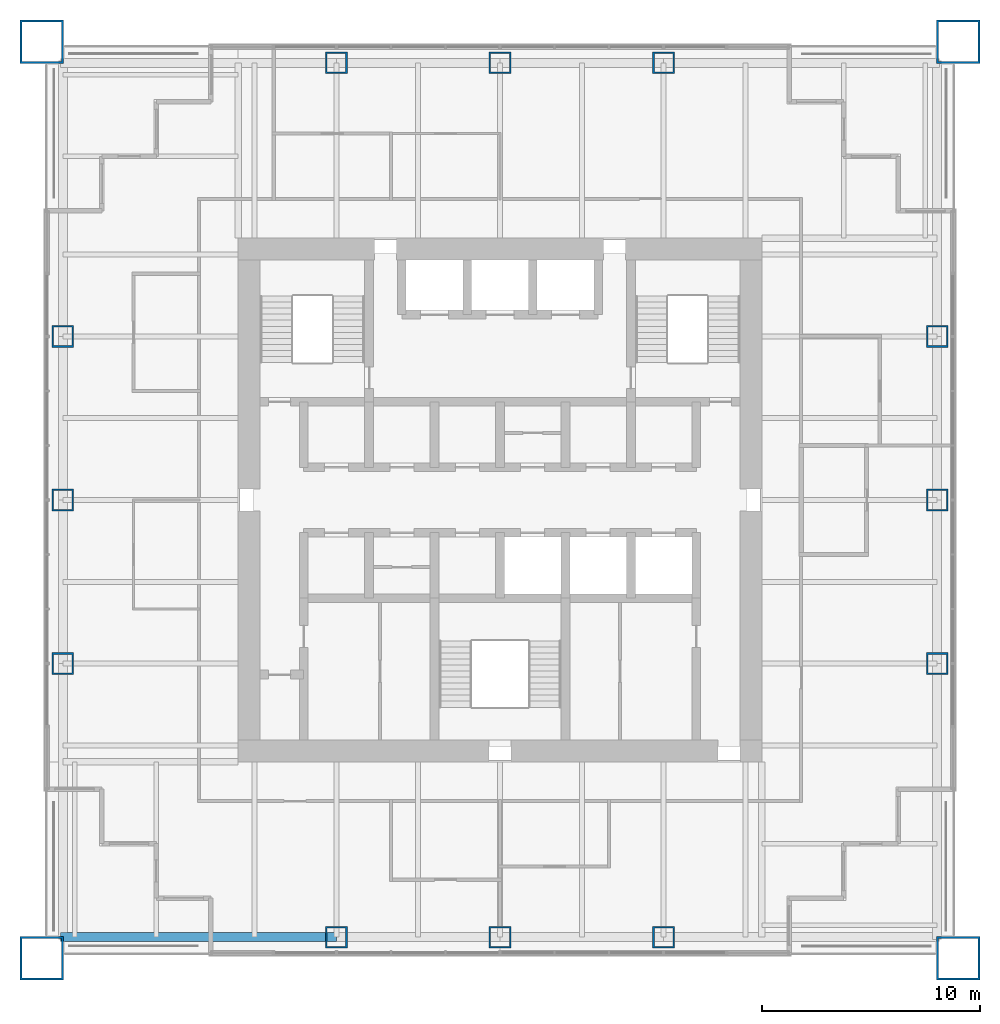
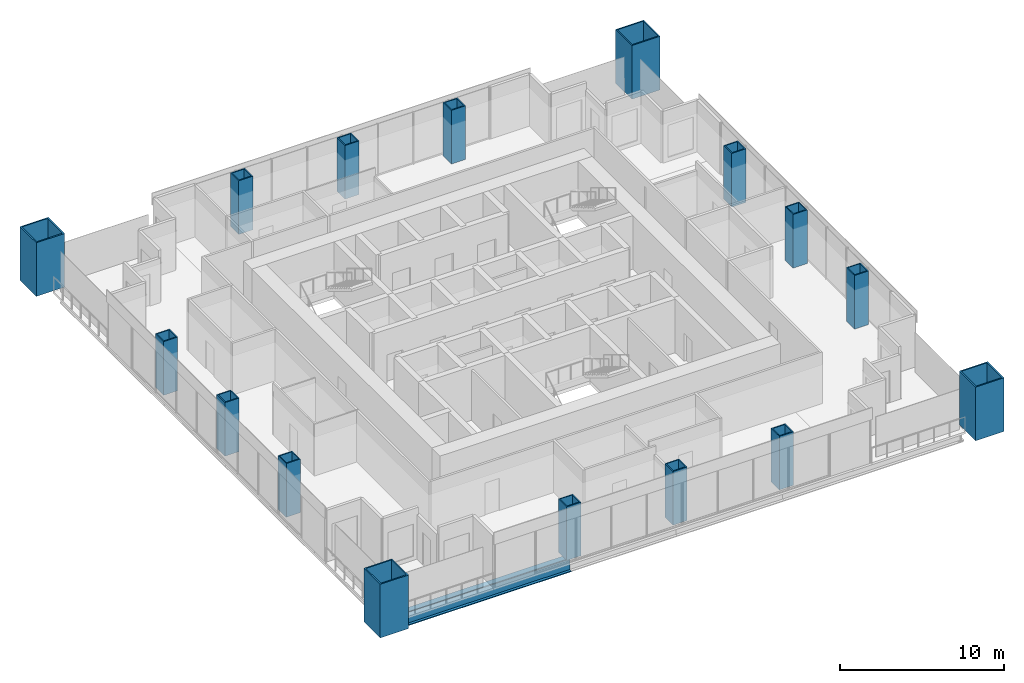
# One storey, part 1 of 14: 16 columns, 1 beam.
"""IFC4 building model written with IfcOpenShell, lengths in metres."""

from ifc_helpers import new_model, si_unit, direction, frame, origin, origin_2d, place, context, subcontext, project, spatial, hollow_rectangle, i_section, extrude, material, material_profile, profile_set, type_object, element, save


model = new_model("IFC4")

# Units and contexts
model_context = context("Model", 3, precision=1e-05, world=origin(), true_north=direction((0.0, 1.0)))
body_context = subcontext(model_context, "Body", "Model", "MODEL_VIEW")
ifc_project = project(units=[si_unit("LENGTHUNIT", "METRE"), si_unit("AREAUNIT", "SQUARE_METRE"), si_unit("VOLUMEUNIT", "CUBIC_METRE"), si_unit("PLANEANGLEUNIT", "RADIAN"), si_unit("MASSUNIT", "GRAM", prefix="KILO")], contexts=[model_context])

# Site, building, storey
site_placement = place(None, origin())
site = spatial("IfcSite", under=ifc_project, at=site_placement, CompositionType="ELEMENT")
building_placement = place(site_placement, origin())
building = spatial("IfcBuilding", under=site, at=building_placement, Name="Tarangal Relay Tower", CompositionType="ELEMENT")
storey_placement = place(building_placement, frame((0.0, 0.0, 263.89990234375)))
storey = spatial("IfcBuildingStorey", under=building, at=storey_placement, Name="L57", CompositionType="ELEMENT", Elevation=263.89990234375)

# Columns
ifc_material_1 = material(Name="Steel ASTM A572 Grade 50", Category="steel")
ifc_material_profile_1 = material_profile(ifc_material_1, hollow_rectangle(XDim=2.0, YDim=2.0, WallThickness=0.094970703125, at=origin_2d()), Name="BOX2000X2000X95")
ifc_profile_set_1 = profile_set([ifc_material_profile_1], Name="Steel ASTM A572 Grade 50")
column_type_1 = type_object("IfcColumnType", Name="Mega column BOX2000X2000X95", PredefinedType="COLUMN", material=ifc_profile_set_1)
for number, where, z_axis, x_axis, name in (
    (1, (21.0, 21.0, 0.0), (0.0, 0.0, 1.0), (1.0, 0.0, 0.0), "Mega column MC4 NE L57"),
    (2, (21.0, -21.0, 0.0), (0.0, 0.0, 1.0), (1.0, 0.0, 0.0), "Mega column MC4 SE L57"),
    (3, (-21.0, -21.0, 0.0), (0.0, 0.0, 1.0), (1.0, 0.0, 0.0), "Mega column MC4 SW L57"),
    (4, (-21.0, 21.0, 0.0), (0.0, 0.0, 1.0), (1.0, 0.0, 0.0), "Mega column MC4 NW L57"),
):
    element("IfcColumn", number, at=place(storey_placement, frame(where, z_axis=z_axis, x_axis=x_axis)), inside=storey, type_object=column_type_1, Name=name, PredefinedType="COLUMN", context=body_context, shape_type="SweptSolid", body=[
        extrude(hollow_rectangle(XDim=2.0, YDim=2.0, WallThickness=0.094970703125, at=origin_2d()), origin(), (0.0, 0.0, 1.0), 4.0),
    ])
ifc_material_profile_2 = material_profile(ifc_material_1, hollow_rectangle(XDim=1.0, YDim=1.0, WallThickness=0.074951171875, at=origin_2d()), Name="BOX1000X1000X75")
ifc_profile_set_2 = profile_set([ifc_material_profile_2], Name="Steel ASTM A572 Grade 50")
column_type_2 = type_object("IfcColumnType", Name="Perimeter column BOX1000X1000X75", PredefinedType="COLUMN", material=ifc_profile_set_2)
for number, where, z_axis, x_axis, name in (
    (5, (-7.5, 20.0400390625, 0.0), (0.0, 0.0, 1.0), (1.0, 0.0, 0.0), "Perimeter column PC5 N L57"),
    (6, (0.0, 20.0400390625, 0.0), (0.0, 0.0, 1.0), (1.0, 0.0, 0.0), "Perimeter column PC5 N L57"),
    (7, (7.5, 20.0400390625, 0.0), (0.0, 0.0, 1.0), (1.0, 0.0, 0.0), "Perimeter column PC5 N L57"),
    (8, (20.0400390625, 7.5, 0.0), (0.0, 0.0, 1.0), (1.0, 0.0, 0.0), "Perimeter column PC5 E L57"),
    (9, (20.0400390625, 0.0, 0.0), (0.0, 0.0, 1.0), (1.0, 0.0, 0.0), "Perimeter column PC5 E L57"),
    (10, (20.0400390625, -7.5, 0.0), (0.0, 0.0, 1.0), (1.0, 0.0, 0.0), "Perimeter column PC5 E L57"),
    (11, (7.5, -20.0400390625, 0.0), (0.0, 0.0, 1.0), (1.0, 0.0, 0.0), "Perimeter column PC5 S L57"),
    (12, (0.0, -20.0400390625, 0.0), (0.0, 0.0, 1.0), (1.0, 0.0, 0.0), "Perimeter column PC5 S L57"),
    (13, (-7.5, -20.0400390625, 0.0), (0.0, 0.0, 1.0), (1.0, 0.0, 0.0), "Perimeter column PC5 S L57"),
    (14, (-20.0400390625, -7.5, 0.0), (0.0, 0.0, 1.0), (1.0, 0.0, 0.0), "Perimeter column PC5 W L57"),
    (15, (-20.0400390625, 0.0, 0.0), (0.0, 0.0, 1.0), (1.0, 0.0, 0.0), "Perimeter column PC5 W L57"),
    (16, (-20.0400390625, 7.5, 0.0), (0.0, 0.0, 1.0), (1.0, 0.0, 0.0), "Perimeter column PC5 W L57"),
):
    element("IfcColumn", number, at=place(storey_placement, frame(where, z_axis=z_axis, x_axis=x_axis)), inside=storey, type_object=column_type_2, Name=name, PredefinedType="COLUMN", context=body_context, shape_type="SweptSolid", body=[
        extrude(hollow_rectangle(XDim=1.0, YDim=1.0, WallThickness=0.074951171875, at=origin_2d()), origin(), (0.0, 0.0, 1.0), 4.0),
    ])

# Beam
ifc_material_2 = material(Name="Steel ASTM A992", Category="steel")
ifc_material_profile_3 = material_profile(ifc_material_2, i_section(OverallWidth=0.41162109375, OverallDepth=1.049072265625, WebThickness=0.033935546875, FlangeThickness=0.059814453125, at=origin_2d()), Name="W40X431")
ifc_profile_set_3 = profile_set([ifc_material_profile_3], Name="Steel ASTM A992")
beam_type = type_object("IfcBeamType", Name="Edge girder W40X431", PredefinedType="SPANDREL", material=ifc_profile_set_3)
beam_placement = place(storey_placement, frame((-7.5, -20.0400390625, -0.67431640625), z_axis=(-1.0, 0.0, 0.0), x_axis=(0.0, -1.0, 0.0)))
element("IfcBeam", 17, at=beam_placement, inside=storey, type_object=beam_type, Name="Edge girder EG1 S L57", PredefinedType="SPANDREL", context=body_context, shape_type="SweptSolid", body=[
    extrude(i_section(OverallWidth=0.41162109375, OverallDepth=1.049072265625, WebThickness=0.033935546875, FlangeThickness=0.059814453125, at=origin_2d()), origin(), (0.0, 0.0, 1.0), 12.64990234375),
])

save(model, "model.ifc")
